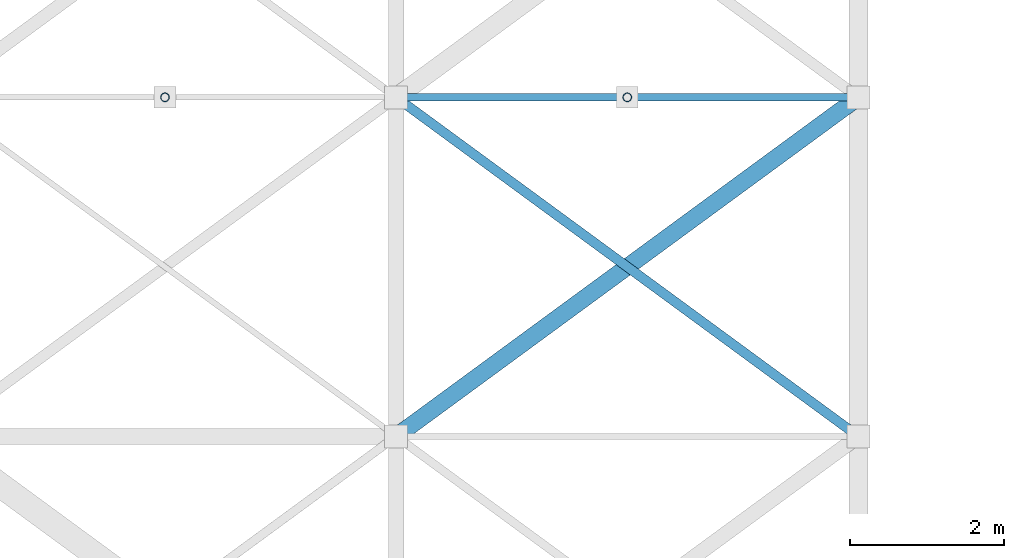
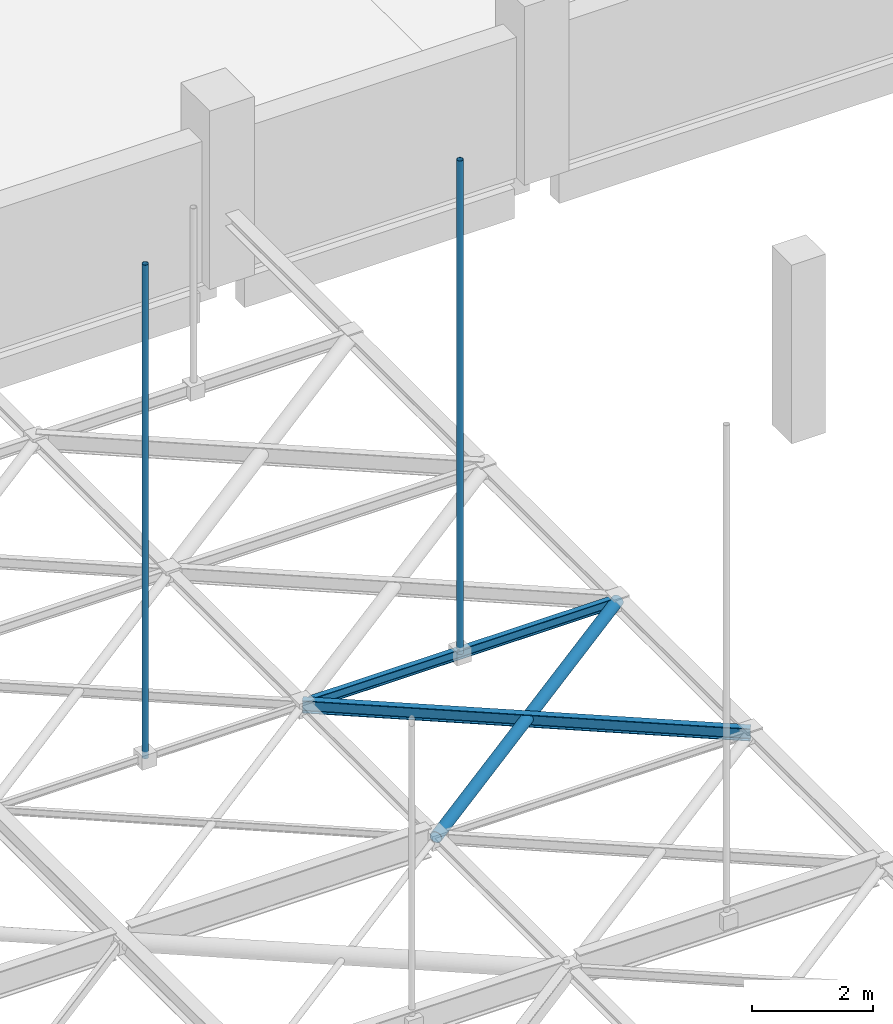
# One storey, part 47 of 93: 4 members, 1 beam.
"""IFC4 building model written with IfcOpenShell, lengths in metres."""

from ifc_helpers import new_model, si_unit, direction, frame, origin, origin_2d, place, context, subcontext, project, spatial, hollow_circle, i_section, extrude, material, material_profile, profile_set, type_object, element, save


model = new_model("IFC4")

# Units and contexts
model_context = context("Model", 3, precision=1e-05, world=origin(), true_north=direction((0.0, 1.0)))
body_context = subcontext(model_context, "Body", "Model", "MODEL_VIEW")
ifc_project = project(units=[si_unit("LENGTHUNIT", "METRE"), si_unit("AREAUNIT", "SQUARE_METRE"), si_unit("VOLUMEUNIT", "CUBIC_METRE"), si_unit("PLANEANGLEUNIT", "RADIAN"), si_unit("MASSUNIT", "GRAM", prefix="KILO")], contexts=[model_context])

# Site, building, storey
site_placement = place(None, origin())
site = spatial("IfcSite", under=ifc_project, at=site_placement, CompositionType="ELEMENT")
building_placement = place(site_placement, origin())
building = spatial("IfcBuilding", under=site, at=building_placement, Name="Varnakota Cinema and Media Centre", CompositionType="ELEMENT")
storey_placement = place(building_placement, frame((0.0, 0.0, 12.0)))
storey = spatial("IfcBuildingStorey", under=building, at=storey_placement, Name="L03", CompositionType="ELEMENT", Elevation=12.0)

# Beam
ifc_material_1 = material(Name="Structural steel Grade 350 (E350)", Category="steel")
ifc_material_profile_1 = material_profile(ifc_material_1, i_section(OverallWidth=0.10009765625, OverallDepth=0.199951171875, WebThickness=0.005615234375, FlangeThickness=0.0107421875, FilletRadius=0.010986328125, at=origin_2d()), Name="ISMB 200")
ifc_profile_set_1 = profile_set([ifc_material_profile_1], Name="Structural steel Grade 350 (E350)")
beam_type = type_object("IfcBeamType", Name="BM-ST-ISMB200", PredefinedType="JOIST", material=ifc_profile_set_1)
beam_placement = place(storey_placement, frame((123.139892578125, 22.0, 1.300048828125), z_axis=(1.0, 0.0, 0.0), x_axis=(0.0, 1.0, 0.0)))
element("IfcBeam", 1, at=beam_placement, inside=storey, type_object=beam_type, Name="V1 rigging beam 9.5", PredefinedType="JOIST", context=body_context, shape_type="SweptSolid", body=[
    extrude(i_section(OverallWidth=0.10009765625, OverallDepth=0.199951171875, WebThickness=0.005615234375, FlangeThickness=0.0107421875, FilletRadius=0.010986328125, at=origin_2d()), origin(), (0.0, 0.0, 1.0), 5.72021484375),
])

# Members
ifc_material_2 = material(Name="Structural steel S355 (YSt 355)", Category="steel")
ifc_material_profile_2 = material_profile(ifc_material_2, hollow_circle(Radius=0.05712890625, WallThickness=0.00537109375, at=origin_2d()), Name="CHS 114.3x5.4")
ifc_profile_set_2 = profile_set([ifc_material_profile_2], Name="Structural steel S355 (YSt 355)")
member_type_1 = type_object("IfcMemberType", Name="MEM-ST-CHS114_3x5_4", PredefinedType="BRACE", material=ifc_profile_set_2)
for number, where, z_axis, x_axis, name in (
    (2, (120.0, 22.0, 1.300048828125), (0.0, 0.0, 1.0), (1.0, 0.0, 0.0), "V1 rigging hanger 8.3"),
    (3, (126.0, 22.0, 1.300048828125), (0.0, 0.0, 1.0), (1.0, 0.0, 0.0), "V1 rigging hanger 9.3"),
):
    element("IfcMember", number, at=place(storey_placement, frame(where, z_axis=z_axis, x_axis=x_axis)), inside=storey, type_object=member_type_1, Name=name, PredefinedType="BRACE", context=body_context, shape_type="SweptSolid", body=[
        extrude(hollow_circle(Radius=0.05712890625, WallThickness=0.00537109375, at=origin_2d()), origin(), (0.0, 0.0, 1.0), 9.949951171875),
    ])
ifc_material_3 = material(Name="Structural steel S355 (YSt 355)", Category="steel")
ifc_material_profile_3 = material_profile(ifc_material_3, hollow_circle(Radius=0.109619140625, WallThickness=0.008056640625, at=origin_2d()), Name="CHS 219.1x8.0")
ifc_profile_set_3 = profile_set([ifc_material_profile_3], Name="Structural steel S355 (YSt 355)")
member_type_2 = type_object("IfcMemberType", Name="MEM-ST-CHS219_1x8_0", PredefinedType="BRACE", material=ifc_profile_set_3)
member_1_placement = place(storey_placement, frame((123.0, 17.60009765625, 1.300048828125), z_axis=(0.80641125493, 0.591355128432, 0.0), x_axis=(-0.591355128432, 0.80641125493, 0.0)))
element("IfcMember", 4, at=member_1_placement, inside=storey, type_object=member_type_2, Name="V1 rigging plan member A 9.4", PredefinedType="BRACE", context=body_context, shape_type="SweptSolid", body=[
    extrude(hollow_circle(Radius=0.109619140625, WallThickness=0.008056640625, at=origin_2d()), origin(), (0.0, 0.0, 1.0), 7.4404296875),
])
ifc_material_4 = material(Name="Structural steel Grade 350 (E350)", Category="steel")
ifc_material_profile_4 = material_profile(ifc_material_4, i_section(OverallWidth=0.125, OverallDepth=0.25, WebThickness=0.0068359375, FlangeThickness=0.012451171875, FilletRadius=0.012939453125, at=origin_2d()), Name="ISMB 250")
ifc_profile_set_4 = profile_set([ifc_material_profile_4], Name="Structural steel Grade 350 (E350)")
member_type_3 = type_object("IfcMemberType", Name="MEM-ST-ISMB250", PredefinedType="RAFTER", material=ifc_profile_set_4)
member_2_placement = place(storey_placement, frame((129.0, 17.60009765625, 1.300048828125), z_axis=(-0.80641125493, 0.591355128432, 0.0), x_axis=(-0.591355128432, -0.80641125493, 0.0)))
element("IfcMember", 5, at=member_2_placement, inside=storey, type_object=member_type_3, Name="V1 rigging plan member B 9.4", PredefinedType="RAFTER", context=body_context, shape_type="SweptSolid", body=[
    extrude(i_section(OverallWidth=0.125, OverallDepth=0.25, WebThickness=0.0068359375, FlangeThickness=0.012451171875, FilletRadius=0.012939453125, at=origin_2d()), origin(), (0.0, 0.0, 1.0), 7.4404296875),
])

save(model, "model.ifc")
